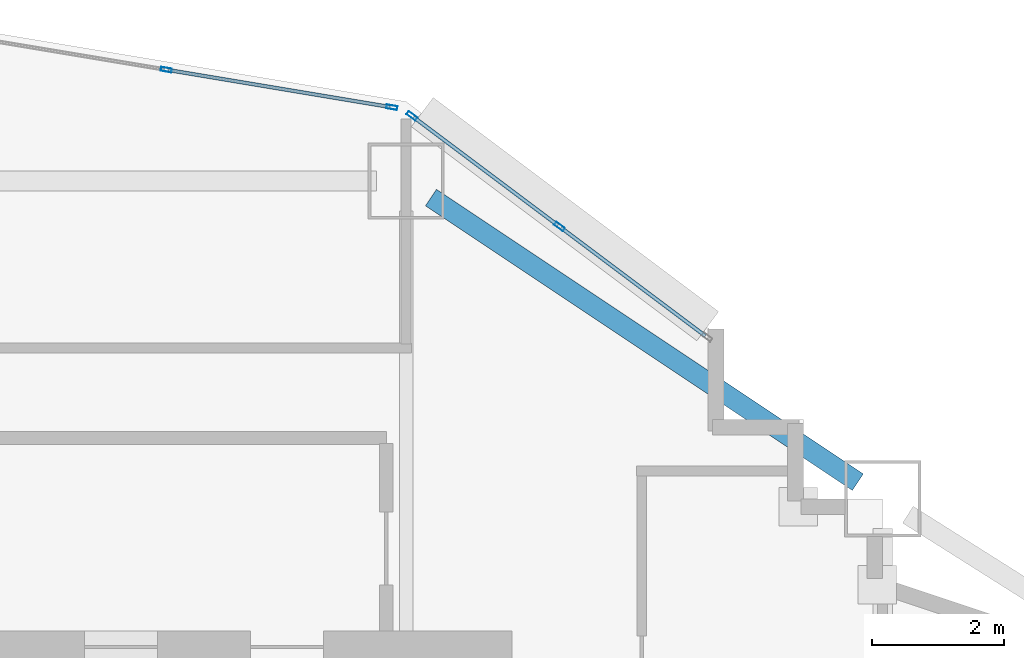
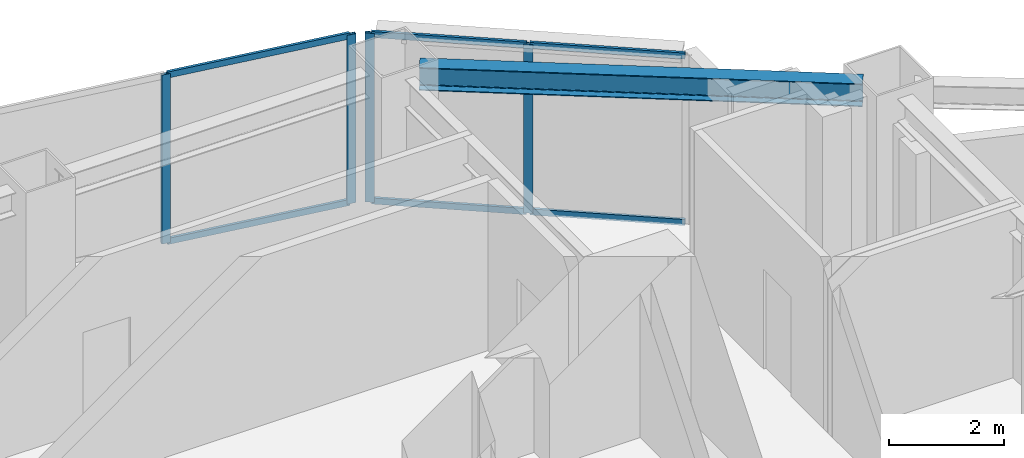
# One storey, part 3 of 17: 10 members, 1 beam, 2 elements without a shape of their own.
"""IFC4 building model written with IfcOpenShell, lengths in metres."""

from ifc_helpers import new_model, si_unit, direction, frame, origin, origin_2d, place, context, subcontext, project, spatial, hollow_rectangle, i_section, extrude, material, layer, layer_set, material_profile, profile_set, type_object, element, aggregate, save


model = new_model("IFC4")

# Units and contexts
model_context = context("Model", 3, precision=1e-05, world=origin(), true_north=direction((0.0, 1.0)))
body_context = subcontext(model_context, "Body", "Model", "MODEL_VIEW")
ifc_project = project(units=[si_unit("LENGTHUNIT", "METRE"), si_unit("AREAUNIT", "SQUARE_METRE"), si_unit("VOLUMEUNIT", "CUBIC_METRE"), si_unit("PLANEANGLEUNIT", "RADIAN"), si_unit("MASSUNIT", "GRAM", prefix="KILO")], contexts=[model_context])

# Site, building, storey
site_placement = place(None, origin())
site = spatial("IfcSite", under=ifc_project, at=site_placement, CompositionType="ELEMENT")
building_placement = place(site_placement, origin())
building = spatial("IfcBuilding", under=site, at=building_placement, Name="Haolan Belvedere Tower", CompositionType="ELEMENT")
storey_placement = place(building_placement, frame((0.0, 0.0, 55.199951171875)))
storey = spatial("IfcBuildingStorey", under=building, at=storey_placement, Name="L13", CompositionType="ELEMENT", Elevation=55.199951171875)

# Beam
ifc_material_1 = material(Name="Steel Q355B", Category="steel")
ifc_material_profile_1 = material_profile(ifc_material_1, i_section(OverallWidth=0.300048828125, OverallDepth=0.488037109375, WebThickness=0.010986328125, FlangeThickness=0.01806640625, FilletRadius=0.02587890625, at=origin_2d()), Name="Steel Q355B")
ifc_profile_set_1 = profile_set([ifc_material_profile_1], Name="Steel Q355B")
beam_type = type_object("IfcBeamType", Name="BM-HM488x300x11x18", PredefinedType="SPANDREL", material=ifc_profile_set_1)
beam_placement = place(storey_placement, frame((45.974365234375, 50.150390625, 3.35595703125), z_axis=(0.832050294338, -0.554700196225, 0.0), x_axis=(0.554700196225, 0.832050294338, 0.0)))
element("IfcBeam", 1, at=beam_placement, inside=storey, type_object=beam_type, Name="L13 spandrel girder MC-T3-N2-MC-T3-NE", PredefinedType="SPANDREL", context=body_context, shape_type="SweptSolid", body=[
    extrude(i_section(OverallWidth=0.300048828125, OverallDepth=0.488037109375, WebThickness=0.010986328125, FlangeThickness=0.01806640625, FilletRadius=0.02587890625, at=origin_2d()), origin(), (0.0, 0.0, 1.0), 7.75341796875),
])

# Curtain wall, members
ifc_material_2 = material(Name="Anodised champagne-silver aluminium 6063-T6 and Low-E glass", Category="aluminium")
ifc_layer = layer(ifc_material_2, 0.1650390625, Name="Anodised champagne-silver aluminium 6063-T6 and Low-E glass")
ifc_layer_set = layer_set([ifc_layer], Name="Anodised champagne-silver aluminium 6063-T6 and Low-E glass")
curtain_wall_type = type_object("IfcCurtainWallType", Name="CW-SYS-02", PredefinedType="NOTDEFINED", material=ifc_layer_set)
curtain_wall_1_placement = place(storey_placement, origin())
curtain_wall_1 = element("IfcCurtainWall", 2, at=curtain_wall_1_placement, inside=storey, type_object=curtain_wall_type, Name="L13 CW-SYS-02 ribbon curtain wall 41.1", PredefinedType="NOTDEFINED")
ifc_material_3 = material(Name="Anodised aluminium 6063-T6", Category="aluminium")
ifc_material_profile_2 = material_profile(ifc_material_3, hollow_rectangle(XDim=0.06005859375, YDim=0.1650390625, WallThickness=0.00390625, at=origin_2d()), Name="Anodised aluminium 6063-T6")
ifc_profile_set_2 = profile_set([ifc_material_profile_2], Name="Anodised aluminium 6063-T6")
member_type_1 = type_object("IfcMemberType", Name="CW-SYS-02-MUL", PredefinedType="MULLION", material=ifc_profile_set_2)
member_1_placement = place(storey_placement, frame((47.915771484375, 49.713134765625, 0.0), z_axis=(0.0, 0.0, 1.0), x_axis=(-0.599994316874, -0.800004262313, 0.0)))
member_1 = element("IfcMember", 3, at=member_1_placement, type_object=member_type_1, Name="CW-02 mullion 2", PredefinedType="MULLION", context=body_context, shape_type="SweptSolid", body=[
    extrude(hollow_rectangle(XDim=0.06005859375, YDim=0.1650390625, WallThickness=0.00390625, at=origin_2d()), origin(), (0.0, 0.0, 1.0), 3.60009765625),
])
member_2_placement = place(storey_placement, frame((45.6875, 51.384521484375, 0.0), z_axis=(0.0, 0.0, 1.0), x_axis=(-0.599994316874, -0.800004262313, 0.0)))
member_2 = element("IfcMember", 4, at=member_2_placement, type_object=member_type_1, Name="CW-02 mullion 3", PredefinedType="MULLION", context=body_context, shape_type="SweptSolid", body=[
    extrude(hollow_rectangle(XDim=0.06005859375, YDim=0.1650390625, WallThickness=0.00390625, at=origin_2d()), origin(), (0.0, 0.0, 1.0), 3.60009765625),
])

curtain_wall_2_placement = place(storey_placement, origin())
curtain_wall_2 = element("IfcCurtainWall", 5, at=curtain_wall_2_placement, inside=storey, type_object=curtain_wall_type, Name="L13 CW-SYS-02 ribbon curtain wall 42.1", PredefinedType="NOTDEFINED")
member_3_placement = place(storey_placement, frame((45.3837890625, 51.514404296875, 0.0), z_axis=(0.0, 0.0, 1.0), x_axis=(-0.16440364043, -0.9863931483, 0.0)))
member_3 = element("IfcMember", 6, at=member_3_placement, type_object=member_type_1, Name="CW-02 mullion 1", PredefinedType="MULLION", context=body_context, shape_type="SweptSolid", body=[
    extrude(hollow_rectangle(XDim=0.06005859375, YDim=0.1650390625, WallThickness=0.00390625, at=origin_2d()), origin(), (0.0, 0.0, 1.0), 3.60009765625),
])
member_4_placement = place(storey_placement, frame((41.9755859375, 52.082275390625, 0.0), z_axis=(0.0, 0.0, 1.0), x_axis=(-0.16440364043, -0.9863931483, 0.0)))
member_4 = element("IfcMember", 7, at=member_4_placement, type_object=member_type_1, Name="CW-02 mullion 2", PredefinedType="MULLION", context=body_context, shape_type="SweptSolid", body=[
    extrude(hollow_rectangle(XDim=0.06005859375, YDim=0.1650390625, WallThickness=0.00390625, at=origin_2d()), origin(), (0.0, 0.0, 1.0), 3.60009765625),
])

# Member
ifc_material_profile_3 = material_profile(ifc_material_3, hollow_rectangle(XDim=0.054931640625, YDim=0.1298828125, WallThickness=0.00390625, at=origin_2d()), Name="Anodised aluminium 6063-T6")
ifc_profile_set_3 = profile_set([ifc_material_profile_3], Name="Anodised aluminium 6063-T6")
member_type_2 = type_object("IfcMemberType", Name="CW-SYS-02-TRN", PredefinedType="USERDEFINED", material=ifc_profile_set_3)
member_5_placement = place(storey_placement, frame((50.1201171875, 48.06005859375, 0.027587890625), z_axis=(-0.800010749092, 0.599985667609, 0.0), x_axis=(-0.599985667609, -0.800010749092, 0.0)))
member_5 = element("IfcMember", 8, at=member_5_placement, type_object=member_type_2, Name="CW-02 transom 1.1", ObjectType="TRANSOM", PredefinedType="USERDEFINED", context=body_context, shape_type="SweptSolid", body=[
    extrude(hollow_rectangle(XDim=0.054931640625, YDim=0.1298828125, WallThickness=0.00390625, at=origin_2d()), origin(), (0.0, 0.0, 1.0), 2.7255859375),
])

member_6_placement = place(storey_placement, frame((50.1201171875, 48.06005859375, 3.572509765625), z_axis=(-0.800010749092, 0.599985667609, 0.0), x_axis=(-0.599985667609, -0.800010749092, 0.0)))
member_6 = element("IfcMember", 9, at=member_6_placement, type_object=member_type_2, Name="CW-02 transom 1.2", ObjectType="TRANSOM", PredefinedType="USERDEFINED", context=body_context, shape_type="SweptSolid", body=[
    extrude(hollow_rectangle(XDim=0.054931640625, YDim=0.1298828125, WallThickness=0.00390625, at=origin_2d()), origin(), (0.0, 0.0, 1.0), 2.7255859375),
])

member_7_placement = place(storey_placement, frame((47.8916015625, 49.731201171875, 0.027587890625), z_axis=(-0.799978499504, 0.600028666258, 0.0), x_axis=(-0.600028666258, -0.799978499504, 0.0)))
member_7 = element("IfcMember", 10, at=member_7_placement, type_object=member_type_2, Name="CW-02 transom 2.1", ObjectType="TRANSOM", PredefinedType="USERDEFINED", context=body_context, shape_type="SweptSolid", body=[
    extrude(hollow_rectangle(XDim=0.054931640625, YDim=0.1298828125, WallThickness=0.00390625, at=origin_2d()), origin(), (0.0, 0.0, 1.0), 2.725341796875),
])

member_8_placement = place(storey_placement, frame((47.8916015625, 49.731201171875, 3.572509765625), z_axis=(-0.799978499504, 0.600028666258, 0.0), x_axis=(-0.600028666258, -0.799978499504, 0.0)))
member_8 = element("IfcMember", 11, at=member_8_placement, type_object=member_type_2, Name="CW-02 transom 2.2", ObjectType="TRANSOM", PredefinedType="USERDEFINED", context=body_context, shape_type="SweptSolid", body=[
    extrude(hollow_rectangle(XDim=0.054931640625, YDim=0.1298828125, WallThickness=0.00390625, at=origin_2d()), origin(), (0.0, 0.0, 1.0), 2.725341796875),
])

aggregate(curtain_wall_1, [member_1, member_2, member_5, member_6, member_7, member_8])

member_9_placement = place(storey_placement, frame((45.35400390625, 51.519287109375, 0.027587890625), z_axis=(-0.986393923832, 0.164398987305, 0.0), x_axis=(-0.164398987305, -0.986393923832, 0.0)))
member_9 = element("IfcMember", 12, at=member_9_placement, type_object=member_type_2, Name="CW-02 transom 1.1", ObjectType="TRANSOM", PredefinedType="USERDEFINED", context=body_context, shape_type="SweptSolid", body=[
    extrude(hollow_rectangle(XDim=0.054931640625, YDim=0.1298828125, WallThickness=0.00390625, at=origin_2d()), origin(), (0.0, 0.0, 1.0), 3.394775390625),
])

member_10_placement = place(storey_placement, frame((45.35400390625, 51.519287109375, 3.572509765625), z_axis=(-0.986393923832, 0.164398987305, 0.0), x_axis=(-0.164398987305, -0.986393923832, 0.0)))
member_10 = element("IfcMember", 13, at=member_10_placement, type_object=member_type_2, Name="CW-02 transom 1.2", ObjectType="TRANSOM", PredefinedType="USERDEFINED", context=body_context, shape_type="SweptSolid", body=[
    extrude(hollow_rectangle(XDim=0.054931640625, YDim=0.1298828125, WallThickness=0.00390625, at=origin_2d()), origin(), (0.0, 0.0, 1.0), 3.394775390625),
])

aggregate(curtain_wall_2, [member_3, member_4, member_9, member_10])

save(model, "model.ifc")
